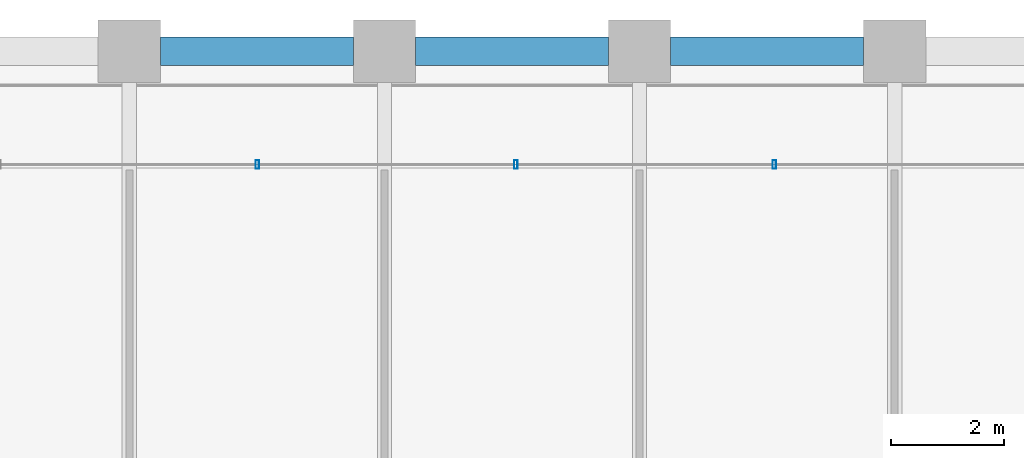
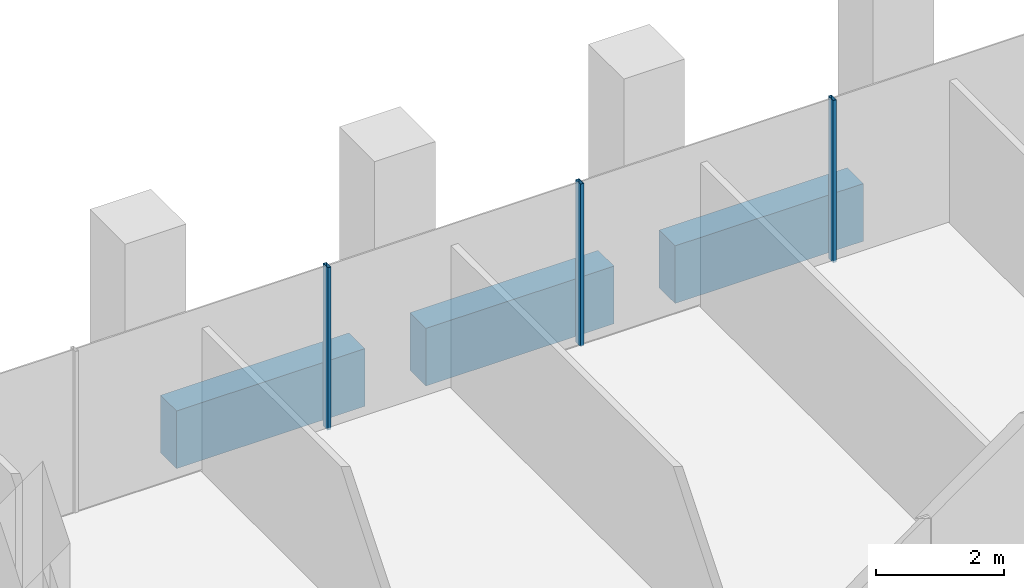
# One storey, part 29 of 56: 3 beams, 3 members, 1 element without a shape of its own.
"""IFC4 building model written with IfcOpenShell, lengths in metres."""

import ifcopenshell
import ifcopenshell.guid

model = None  # the IFC model being written
_history = None  # IfcOwnerHistory: only IFC2X3 demands one
_inside = {}  # id of a spatial element -> (the spatial element, [elements in it])
_under = {}  # id of a project, library or spatial element -> (it, [spatial elements below it])
_declared = {}  # id of a project -> (the project, [libraries it declares])
_typed = {}  # id of a type object -> (the type object, [elements of that type])
_made_of = {}  # id of a material, layer set ... -> (it, [elements and type objects made of it])


def new_model(schema):
    """Start an empty IFC model of exactly this schema.

    Asked for "IFC4X3", IfcOpenShell would pick the latest addendum, in which some entities
    have other attributes; the version numbers below select the first issue.
    IFC2X3 requires an IfcOwnerHistory on every rooted entity: one is made here for all.
    """
    global model, _history
    if schema == "IFC4X3":
        model = ifcopenshell.file(schema_version=(4, 3, 0, 0))
    else:
        model = ifcopenshell.file(schema=schema)
    _inside.clear()
    _under.clear()
    _declared.clear()
    _typed.clear()
    _made_of.clear()
    _history = None
    if model.schema == "IFC2X3":
        org = make("IfcOrganization", Name="unknown")
        user = make(
            "IfcPersonAndOrganization",
            ThePerson=make("IfcPerson", FamilyName="unknown"),
            TheOrganization=org,
        )
        app = make(
            "IfcApplication",
            ApplicationDeveloper=org,
            Version="unknown",
            ApplicationFullName="unknown",
            ApplicationIdentifier="unknown",
        )
        _history = make(
            "IfcOwnerHistory",
            OwningUser=user,
            OwningApplication=app,
            ChangeAction="ADDED",
            CreationDate=0,
        )
    return model


def make(cls, **values):
    """One entity of the class cls with the attributes given. An attribute that is None is left unset."""
    return model.create_entity(
        cls, **{name: value for name, value in values.items() if value is not None}
    )


def rooted(cls, **values):
    """An entity with a GlobalId (a new one), such as an element, a storey or a relation."""
    return make(cls, GlobalId=ifcopenshell.guid.new(), OwnerHistory=_history, **values)


def si_unit(unit_type, name, prefix=None):
    """IfcSIUnit, for example si_unit("LENGTHUNIT", "METRE", prefix="MILLI")."""
    return make("IfcSIUnit", UnitType=unit_type, Prefix=prefix, Name=name)


def assignment(units):
    """IfcUnitAssignment: the units of a project."""
    return None if units is None else make("IfcUnitAssignment", Units=units)


def point(xyz):
    """IfcCartesianPoint."""
    return None if xyz is None else make("IfcCartesianPoint", Coordinates=xyz)


def direction(xyz):
    """IfcDirection."""
    return None if xyz is None else make("IfcDirection", DirectionRatios=xyz)


def frame(location, z_axis=None, x_axis=None):
    """IfcAxis2Placement3D, a coordinate frame: its origin and axes. An axis left out is left unset."""
    return make(
        "IfcAxis2Placement3D",
        Location=point(location),
        Axis=direction(z_axis),
        RefDirection=direction(x_axis),
    )


def frame_2d(location, x_axis=None):
    """IfcAxis2Placement2D, a coordinate frame in the plane: its origin and x axis."""
    return make(
        "IfcAxis2Placement2D", Location=point(location), RefDirection=direction(x_axis)
    )


def origin():
    """The frame at (0, 0, 0) with its axes left unset."""
    return frame((0.0, 0.0, 0.0))


def origin_2d():
    """The frame at (0, 0) in the plane with its x axis left unset."""
    return frame_2d((0.0, 0.0))


def place(relative_to, where):
    """IfcLocalPlacement: puts the frame where relative to a parent placement (None: the world)."""
    return make(
        "IfcLocalPlacement", PlacementRelTo=relative_to, RelativePlacement=where
    )


def context(
    kind, dimensions, precision=None, world=None, true_north=None, identifier=None
):
    """IfcGeometricRepresentationContext, for example the 3D "Model" context."""
    return make(
        "IfcGeometricRepresentationContext",
        ContextIdentifier=identifier,
        ContextType=kind,
        CoordinateSpaceDimension=dimensions,
        Precision=precision,
        WorldCoordinateSystem=world,
        TrueNorth=true_north,
    )


def subcontext(parent, identifier, kind, view, scale=None):
    """IfcGeometricRepresentationSubContext, for example "Body" below "Model"."""
    return make(
        "IfcGeometricRepresentationSubContext",
        ContextIdentifier=identifier,
        ContextType=kind,
        ParentContext=parent,
        TargetScale=scale,
        TargetView=view,
    )


def project(units=None, contexts=None):
    """IfcProject with its units and contexts."""
    return rooted(
        "IfcProject",
        Name="project",
        RepresentationContexts=contexts,
        UnitsInContext=assignment(units),
    )


def spatial(cls, under=None, at=None, **own):
    """A site, building, storey or space (cls), placed at a placement, below another one or the project."""
    s = rooted(cls, ObjectPlacement=at, **own)
    if under is not None:
        _under.setdefault(under.id(), (under, []))[1].append(s)
    return s


def profile(cls, at=None, kind="AREA", **sizes):
    """A parametric profile (cls). Its sizes go by their IFC names, for example OverallWidth=200.0."""
    return make(cls, ProfileType=kind, Position=at, **sizes)


def rectangle(**sizes):
    """IfcRectangleProfileDef."""
    return profile("IfcRectangleProfileDef", **sizes)


def hollow_rectangle(**sizes):
    """IfcRectangleHollowProfileDef."""
    return profile("IfcRectangleHollowProfileDef", **sizes)


def extrude(swept, where, along, depth):
    """IfcExtrudedAreaSolid: the profile swept, set in the frame where, extruded along a direction by depth."""
    return make(
        "IfcExtrudedAreaSolid",
        SweptArea=swept,
        Position=where,
        ExtrudedDirection=direction(along),
        Depth=depth,
    )


def shape(context_of_items, identifier, shape_type, items):
    """IfcShapeRepresentation: the items that make up one representation, for example the "Body"."""
    return make(
        "IfcShapeRepresentation",
        ContextOfItems=context_of_items,
        RepresentationIdentifier=identifier,
        RepresentationType=shape_type,
        Items=items,
    )


def material(Name=None, Category=None):
    """IfcMaterial."""
    return make("IfcMaterial", Name=Name, Category=Category)


def material_profile(
    of_material, cross_section, Name=None, Category=None, Priority=None
):
    """IfcMaterialProfile: a cross section and its material."""
    return make(
        "IfcMaterialProfile",
        Name=Name,
        Material=of_material,
        Profile=cross_section,
        Priority=Priority,
        Category=Category,
    )


def profile_set(profiles, Name=None, composite=None):
    """IfcMaterialProfileSet."""
    return make(
        "IfcMaterialProfileSet",
        Name=Name,
        MaterialProfiles=profiles,
        CompositeProfile=composite,
    )


def made_of(thing, what):
    """Note that an element or type object is made of a material, layer set ...; save() writes the relation."""
    if what is not None:
        _made_of.setdefault(what.id(), (what, []))[1].append(thing)
    return thing


def type_object(cls, material=None, **own):
    """A type object (cls), such as IfcWallType, which elements share."""
    return made_of(rooted(cls, **own), material)


def element(
    cls,
    number,
    at=None,
    inside=None,
    cuts=None,
    type_object=None,
    material=None,
    context=None,
    identifier="Body",
    shape_type=None,
    held_by="IfcProductDefinitionShape",
    body=None,
    shapes=None,
    **own,
):
    """One element of the class cls, such as IfcWall. Its Tag is "e" and its number.

    at: its placement. inside: the storey or other place that contains it. cuts: it is an
    opening in that element (IfcRelVoidsElement). A single representation is given by context,
    identifier, shape_type and body (its items); several are given by shapes. held_by: the class
    of the entity that holds the representations. save() writes the other relations.
    """
    e = rooted(cls, Tag="e%d" % number, ObjectPlacement=at, **own)
    if body is not None:
        shapes = [shape(context, identifier, shape_type, body)]
    if shapes is not None:
        e.Representation = make(held_by, Representations=shapes)
    if inside is not None:
        _inside.setdefault(inside.id(), (inside, []))[1].append(e)
    if cuts is not None:
        rooted(
            "IfcRelVoidsElement", RelatingBuildingElement=cuts, RelatedOpeningElement=e
        )
    if type_object is not None:
        _typed.setdefault(type_object.id(), (type_object, []))[1].append(e)
    return made_of(e, material)


def aggregate(whole, parts):
    """IfcRelAggregates: a whole, such as a stair, and the parts it consists of."""
    return rooted("IfcRelAggregates", RelatingObject=whole, RelatedObjects=parts)


def save(model, path):
    """Write the relations noted so far, then the file.

    IfcRelAggregates (storeys below a building ...), IfcRelContainedInSpatialStructure (elements
    in a storey), IfcRelDefinesByType, IfcRelAssociatesMaterial and IfcRelDeclares: one each for
    every whole, place, type object, material and project.
    """
    for whole, parts in _under.values():
        aggregate(whole, parts)
    for where, things in _inside.values():
        rooted(
            "IfcRelContainedInSpatialStructure",
            RelatedElements=things,
            RelatingStructure=where,
        )
    for kind, things in _typed.values():
        rooted("IfcRelDefinesByType", RelatedObjects=things, RelatingType=kind)
    for what, things in _made_of.values():
        rooted("IfcRelAssociatesMaterial", RelatedObjects=things, RelatingMaterial=what)
    for by, libraries in _declared.values():
        rooted("IfcRelDeclares", RelatingContext=by, RelatedDefinitions=libraries)
    model.write(path)


model = new_model("IFC4")

# Units and contexts
model_context = context("Model", 3, precision=1e-05, world=origin(), true_north=direction((0.0, 1.0)))
body_context = subcontext(model_context, "Body", "Model", "MODEL_VIEW")
ifc_project = project(units=[si_unit("LENGTHUNIT", "METRE"), si_unit("AREAUNIT", "SQUARE_METRE"), si_unit("VOLUMEUNIT", "CUBIC_METRE"), si_unit("PLANEANGLEUNIT", "RADIAN"), si_unit("MASSUNIT", "GRAM", prefix="KILO")], contexts=[model_context])

# Site, building, storey
site_placement = place(None, origin())
site = spatial("IfcSite", under=ifc_project, at=site_placement, CompositionType="ELEMENT")
building_placement = place(site_placement, origin())
building = spatial("IfcBuilding", under=site, at=building_placement, Name="Altepetl Exchange Towers", CompositionType="ELEMENT")
storey_placement = place(building_placement, frame((0.0, 0.0, 54.60009765625)))
storey = spatial("IfcBuildingStorey", under=building, at=storey_placement, Name="L12", CompositionType="ELEMENT", Elevation=54.60009765625)

# Curtain wall, members
ifc_material_1 = material(Name="Aluminium 6063-T6 glazing", Category="aluminium")
curtain_wall_type = type_object("IfcCurtainWallType", Name="Loggia glazing system", PredefinedType="NOTDEFINED", material=ifc_material_1)
curtain_wall_placement = place(storey_placement, origin())
curtain_wall = element("IfcCurtainWall", 1, at=curtain_wall_placement, inside=storey, type_object=curtain_wall_type, Name="CW1 run", PredefinedType="NOTDEFINED")
ifc_material_2 = material(Name="Aluminium 6063-T6", Category="aluminium")
ifc_material_profile_1 = material_profile(ifc_material_2, hollow_rectangle(XDim=0.06005859375, YDim=0.14990234375, WallThickness=0.0029296875, at=origin_2d()), Name="Mullion 60x150 aluminium")
ifc_profile_set_1 = profile_set([ifc_material_profile_1], Name="Aluminium 6063-T6")
member_type = type_object("IfcMemberType", Name="Mullion 60x150 aluminium", PredefinedType="MULLION", material=ifc_profile_set_1)
member_1_placement = place(storey_placement, frame((56.378662109375, 70.0, 0.0), z_axis=(0.0, 0.0, 1.0), x_axis=(-1.0, 0.0, 0.0)))
member_1 = element("IfcMember", 2, at=member_1_placement, type_object=member_type, Name="MU1 mullion", PredefinedType="MULLION", context=body_context, shape_type="SweptSolid", body=[
    extrude(hollow_rectangle(XDim=0.06005859375, YDim=0.14990234375, WallThickness=0.0029296875, at=origin_2d()), origin(), (0.0, 0.0, 1.0), 3.099853515625),
])
member_2_placement = place(storey_placement, frame((51.81787109375, 70.0, 0.0), z_axis=(0.0, 0.0, 1.0), x_axis=(-1.0, 0.0, 0.0)))
member_2 = element("IfcMember", 3, at=member_2_placement, type_object=member_type, Name="MU1 mullion", PredefinedType="MULLION", context=body_context, shape_type="SweptSolid", body=[
    extrude(hollow_rectangle(XDim=0.06005859375, YDim=0.14990234375, WallThickness=0.0029296875, at=origin_2d()), origin(), (0.0, 0.0, 1.0), 3.099853515625),
])
member_3_placement = place(storey_placement, frame((47.257080078125, 70.0, 0.0), z_axis=(0.0, 0.0, 1.0), x_axis=(-1.0, 0.0, 0.0)))
member_3 = element("IfcMember", 4, at=member_3_placement, type_object=member_type, Name="MU1 mullion", PredefinedType="MULLION", context=body_context, shape_type="SweptSolid", body=[
    extrude(hollow_rectangle(XDim=0.06005859375, YDim=0.14990234375, WallThickness=0.0029296875, at=origin_2d()), origin(), (0.0, 0.0, 1.0), 3.099853515625),
])
aggregate(curtain_wall, [member_1, member_2, member_3])

# Beams
ifc_material_3 = material(Name="Concrete C50/60 precast with cantera rosa facing", Category="concrete")
ifc_material_profile_2 = material_profile(ifc_material_3, rectangle(XDim=0.5, YDim=1.10009765625, at=origin_2d()), Name="500 x 1100")
ifc_profile_set_2 = profile_set([ifc_material_profile_2], Name="Concrete C50/60 precast with cantera rosa facing")
beam_type = type_object("IfcBeamType", Name="Spandrel beam 500x1100 cantera rosa", PredefinedType="SPANDREL", material=ifc_profile_set_2)
for number, where, z_axis, x_axis, name in (
    (5, (57.949951171875, 72.0, -0.7001953125), (-1.0, 0.0, 0.0), (0.0, -1.0, 0.0), "sp:A:L12:026"),
    (6, (53.449951171875, 72.0, -0.7001953125), (-1.0, 0.0, 0.0), (0.0, -1.0, 0.0), "sp:A:L12:027"),
    (7, (48.949951171875, 72.0, -0.7001953125), (-1.0, 0.0, 0.0), (0.0, -1.0, 0.0), "sp:A:L12:028"),
):
    element("IfcBeam", number, at=place(storey_placement, frame(where, z_axis=z_axis, x_axis=x_axis)), inside=storey, type_object=beam_type, Name=name, PredefinedType="SPANDREL", context=body_context, shape_type="SweptSolid", body=[
        extrude(rectangle(XDim=0.5, YDim=1.10009765625, at=origin_2d()), origin(), (0.0, 0.0, 1.0), 3.39990234375),
    ])

save(model, "model.ifc")
